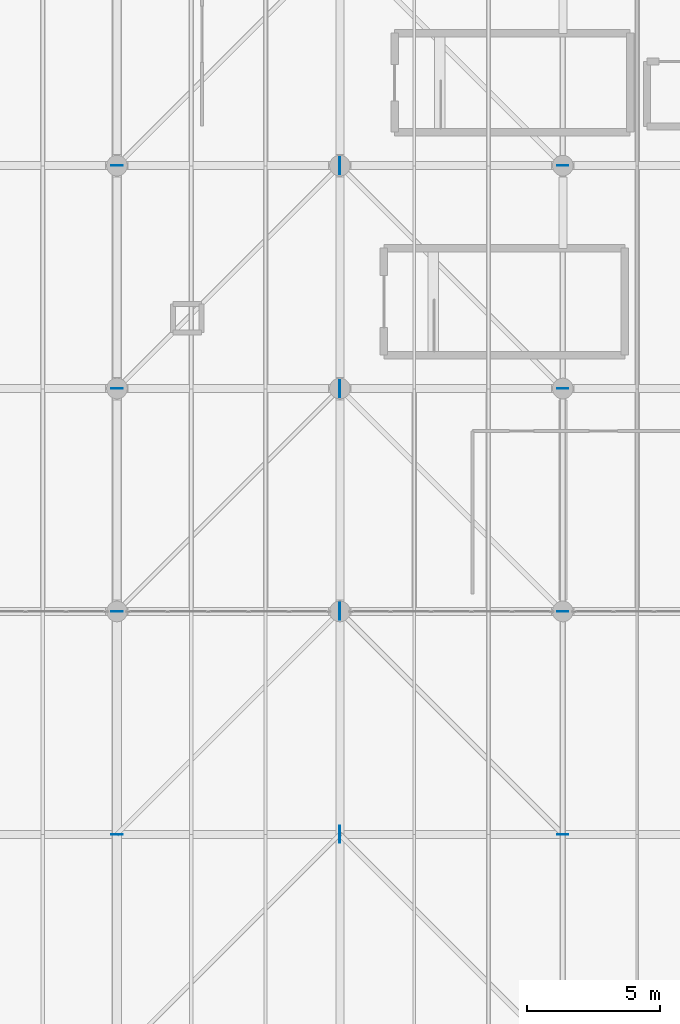
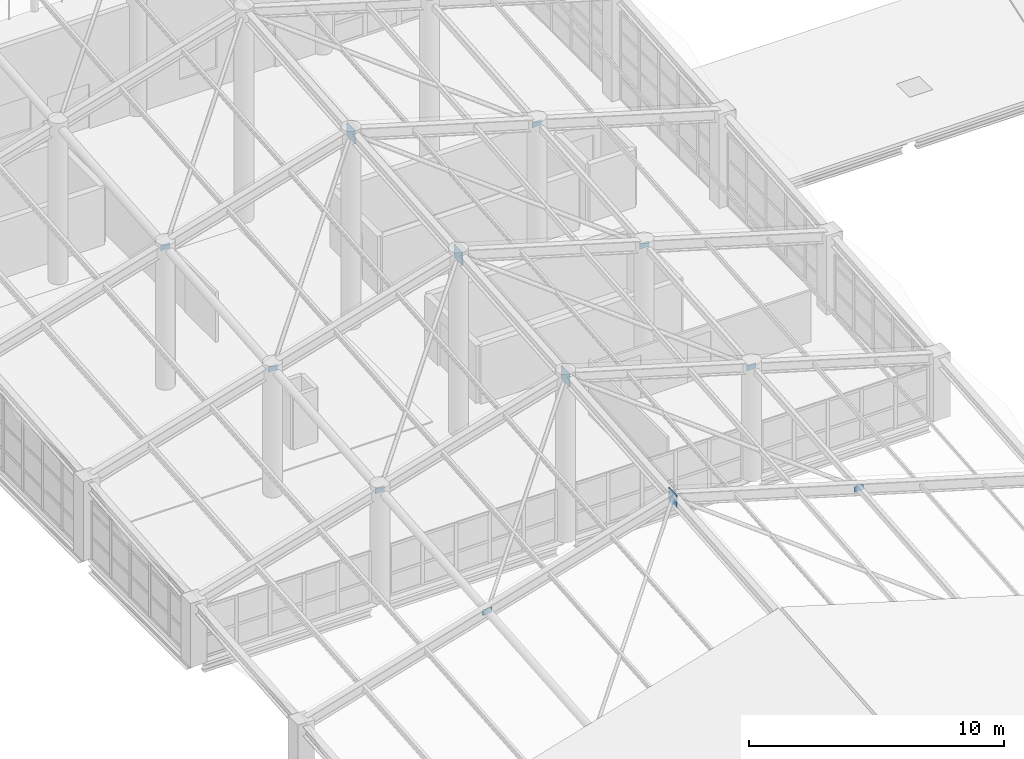
# One storey, part 75 of 95: 12 plates.
"""IFC4 building model written with IfcOpenShell, lengths in metres."""

from ifc_helpers import new_model, si_unit, direction, frame, origin, origin_2d, place, context, subcontext, project, spatial, rectangle, extrude, material, layer, layer_set, type_object, element, save


model = new_model("IFC4")

# Units and contexts
model_context = context("Model", 3, precision=1e-05, world=origin(), true_north=direction((0.0, 1.0)))
body_context = subcontext(model_context, "Body", "Model", "MODEL_VIEW")
ifc_project = project(units=[si_unit("LENGTHUNIT", "METRE"), si_unit("AREAUNIT", "SQUARE_METRE"), si_unit("VOLUMEUNIT", "CUBIC_METRE"), si_unit("PLANEANGLEUNIT", "RADIAN"), si_unit("MASSUNIT", "GRAM", prefix="KILO"), si_unit("THERMODYNAMICTEMPERATUREUNIT", "KELVIN"), si_unit("POWERUNIT", "WATT")], contexts=[model_context])

# Site, building, storey
site_placement = place(None, origin())
site = spatial("IfcSite", under=ifc_project, at=site_placement, CompositionType="ELEMENT")
building_placement = place(site_placement, origin())
building = spatial("IfcBuilding", under=site, at=building_placement, Name="Mavoryth Pier Ferry Terminal", CompositionType="ELEMENT")
storey_placement = place(building_placement, frame((0.0, 0.0, 9.60009765625)))
storey = spatial("IfcBuildingStorey", under=building, at=storey_placement, Name="L02", CompositionType="ELEMENT", Elevation=9.60009765625)

# Plates
ifc_material = material(Name="Steel S355J2", Category="steel")
ifc_layer_1 = layer(ifc_material, 0.030029296875, Name="Steel S355J2", Category="steel")
ifc_layer_set_1 = layer_set([ifc_layer_1], Name="Steel S355J2 - Plate-Gusset-640x640x30")
plate_type_1 = type_object("IfcPlateType", Name="Plate-Gusset-640x640x30", PredefinedType="SHEET", material=ifc_layer_set_1)
for number, where, z_axis, x_axis, name in (
    (1, (16.800048828125, 64.0, 6.67138671875), (0.0, 0.0, 1.0), (0.0, 1.0, 0.0), "Steel Node Plate PL-L02-0016"),
    (2, (16.800048828125, 72.39990234375, 7.3857421875), (0.0, 0.0, 1.0), (0.0, 1.0, 0.0), "Steel Node Plate PL-L02-0019"),
    (3, (16.800048828125, 80.800048828125, 8.10009765625), (0.0, 0.0, 1.0), (0.0, 1.0, 0.0), "Steel Node Plate PL-L02-0022"),
    (4, (16.800048828125, 89.199951171875, 8.814453125), (0.0, 0.0, 1.0), (0.0, 1.0, 0.0), "Steel Node Plate PL-L02-0025"),
):
    element("IfcPlate", number, at=place(storey_placement, frame(where, z_axis=z_axis, x_axis=x_axis)), inside=storey, type_object=plate_type_1, Name=name, PredefinedType="SHEET", context=body_context, shape_type="SweptSolid", body=[
        extrude(rectangle(XDim=0.639892578125, YDim=0.030029296875, at=origin_2d()), origin(), (0.0, 0.0, 1.0), 0.639892578125),
    ])
ifc_layer_2 = layer(ifc_material, 0.013916015625, Name="Steel S355J2", Category="steel")
ifc_layer_set_2 = layer_set([ifc_layer_2], Name="Steel S355J2 - Plate-Stiffener-420x260x14")
plate_type_2 = type_object("IfcPlateType", Name="Plate-Stiffener-420x260x14", PredefinedType="USERDEFINED", material=ifc_layer_set_2)
for number, where, z_axis, x_axis, name in (
    (5, (8.39990234375, 64.0, 4.373046875), (0.0, 0.0, 1.0), (1.0, 0.0, 0.0), "Steel Node Plate PL-L02-0017"),
    (6, (25.199951171875, 64.0, 4.373046875), (0.0, 0.0, 1.0), (1.0, 0.0, 0.0), "Steel Node Plate PL-L02-0018"),
    (7, (8.39990234375, 72.39990234375, 5.08740234375), (0.0, 0.0, 1.0), (1.0, 0.0, 0.0), "Steel Node Plate PL-L02-0020"),
    (8, (25.199951171875, 72.39990234375, 5.08740234375), (0.0, 0.0, 1.0), (1.0, 0.0, 0.0), "Steel Node Plate PL-L02-0021"),
    (9, (8.39990234375, 80.800048828125, 5.8017578125), (0.0, 0.0, 1.0), (1.0, 0.0, 0.0), "Steel Node Plate PL-L02-0023"),
    (10, (25.199951171875, 80.800048828125, 5.8017578125), (0.0, 0.0, 1.0), (1.0, 0.0, 0.0), "Steel Node Plate PL-L02-0024"),
    (11, (8.39990234375, 89.199951171875, 6.51611328125), (0.0, 0.0, 1.0), (1.0, 0.0, 0.0), "Steel Node Plate PL-L02-0026"),
    (12, (25.199951171875, 89.199951171875, 6.51611328125), (0.0, 0.0, 1.0), (1.0, 0.0, 0.0), "Steel Node Plate PL-L02-0027"),
):
    element("IfcPlate", number, at=place(storey_placement, frame(where, z_axis=z_axis, x_axis=x_axis)), inside=storey, type_object=plate_type_2, Name=name, ObjectType="STIFFENER PLATE", PredefinedType="USERDEFINED", context=body_context, shape_type="SweptSolid", body=[
        extrude(rectangle(XDim=0.419921875, YDim=0.013916015625, at=origin_2d()), origin(), (0.0, 0.0, 1.0), 0.260009765625),
    ])

save(model, "model.ifc")
